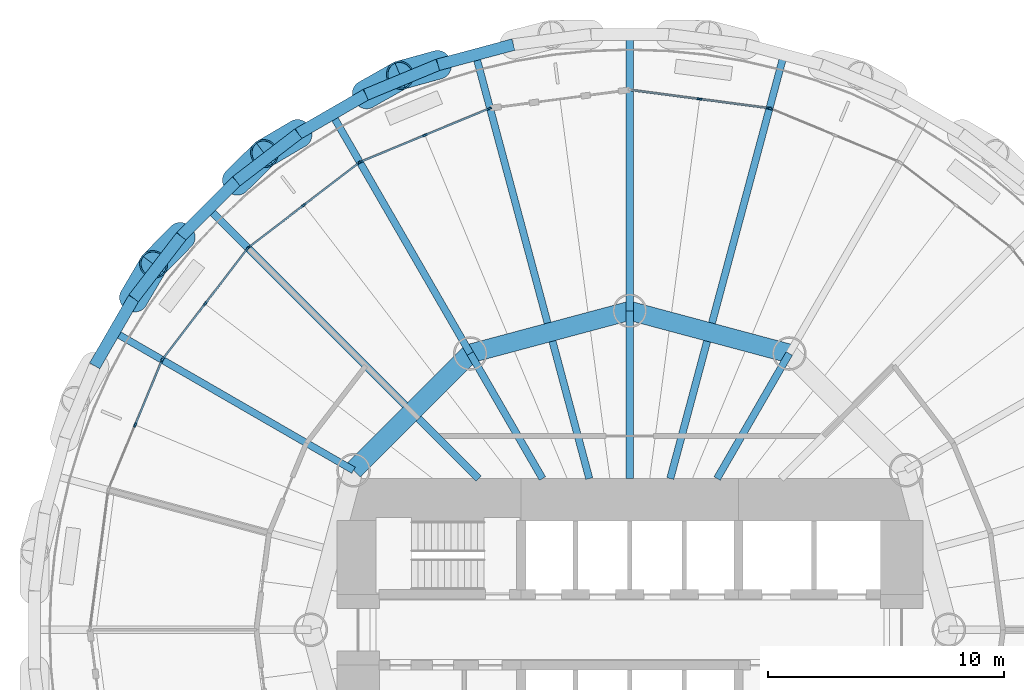
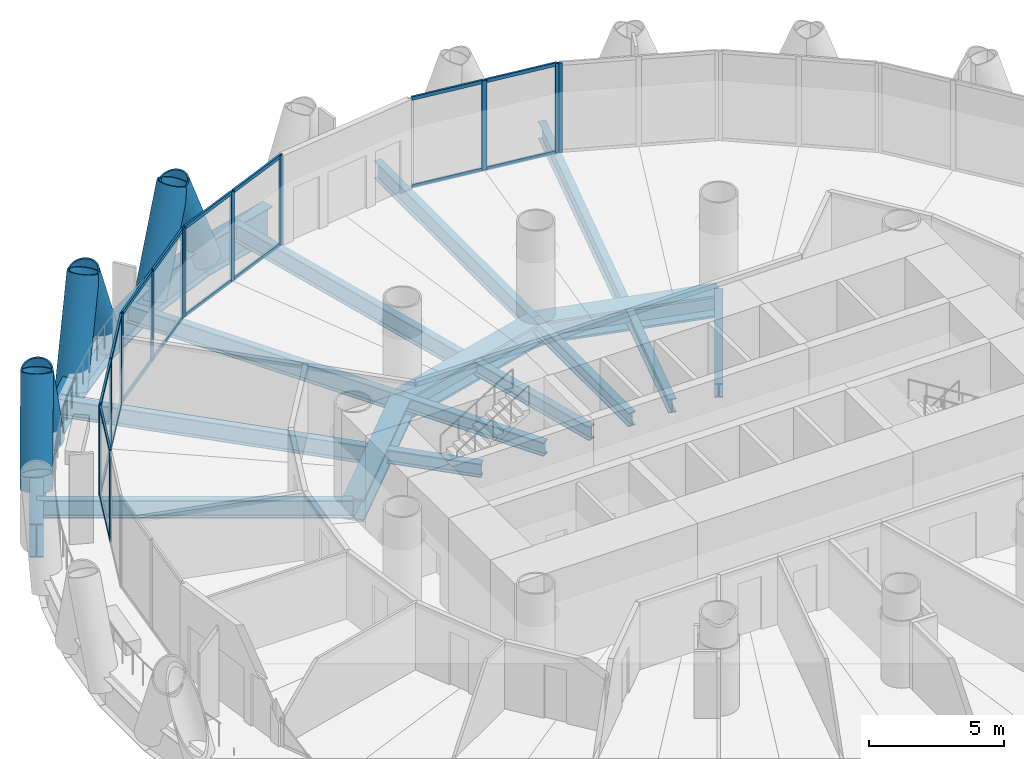
# One storey, part 6 of 16: 38 members, 22 beams, 6 elements without a shape of their own.
"""IFC4 building model written with IfcOpenShell, lengths in metres."""

from ifc_helpers import new_model, si_unit, direction, frame, origin, origin_2d, place, context, subcontext, project, spatial, rectangle, hollow_circle, i_section, extrude, material, material_profile, profile_set, type_object, element, aggregate, save


model = new_model("IFC4")

# Units and contexts
model_context = context("Model", 3, precision=1e-05, world=origin(), true_north=direction((0.0, 1.0)))
body_context = subcontext(model_context, "Body", "Model", "MODEL_VIEW")
ifc_project = project(units=[si_unit("LENGTHUNIT", "METRE"), si_unit("AREAUNIT", "SQUARE_METRE"), si_unit("VOLUMEUNIT", "CUBIC_METRE"), si_unit("PLANEANGLEUNIT", "RADIAN"), si_unit("MASSUNIT", "GRAM", prefix="KILO")], contexts=[model_context])

# Site, building, storey
site_placement = place(None, origin())
site = spatial("IfcSite", under=ifc_project, at=site_placement, CompositionType="ELEMENT")
building_placement = place(site_placement, origin())
building = spatial("IfcBuilding", under=site, at=building_placement, Name="Qaws Media Tower", CompositionType="ELEMENT")
storey_placement = place(building_placement, frame((0.0, 0.0, 63.800048828125)))
storey = spatial("IfcBuildingStorey", under=building, at=storey_placement, Name="L13", CompositionType="ELEMENT", Elevation=63.800048828125)

# Curtain wall, member
ifc_material_1 = material(Name="Aluminium and clear glass", Category="aluminium")
curtain_wall_type = type_object("IfcCurtainWallType", Name="Unitised curtain wall CW-A", PredefinedType="NOTDEFINED", material=ifc_material_1)
curtain_wall_1_placement = place(storey_placement, origin())
curtain_wall_1 = element("IfcCurtainWall", 1, at=curtain_wall_1_placement, inside=storey, type_object=curtain_wall_type, Name="CWA curtain wall L13-05", PredefinedType="NOTDEFINED")
ifc_material_2 = material(Name="Aluminium mullion", Category="aluminium")
ifc_material_profile_1 = material_profile(ifc_material_2, rectangle(XDim=0.080078125, YDim=0.199951171875, at=origin_2d()), Name="80x200")
ifc_profile_set_1 = profile_set([ifc_material_profile_1], Name="Aluminium mullion")
member_type_1 = type_object("IfcMemberType", Name="Curtain wall mullion 80x200", PredefinedType="MULLION", material=ifc_profile_set_1)
member_1_placement = place(storey_placement, frame((65.950927734375, 72.05615234375, 0.0), z_axis=(0.0, 0.0, 1.0), x_axis=(-0.382683471145, -0.923879516448, 0.0)))
member_1 = element("IfcMember", 2, at=member_1_placement, type_object=member_type_1, Name="CWA mullion 3", PredefinedType="MULLION", context=body_context, shape_type="SweptSolid", body=[
    extrude(rectangle(XDim=0.080078125, YDim=0.199951171875, at=origin_2d()), origin(), (0.0, 0.0, 1.0), 4.0400390625),
])
aggregate(curtain_wall_1, [member_1])

# Curtain wall, members
curtain_wall_2_placement = place(storey_placement, origin())
curtain_wall_2 = element("IfcCurtainWall", 3, at=curtain_wall_2_placement, inside=storey, type_object=curtain_wall_type, Name="CWA curtain wall L13-06", PredefinedType="NOTDEFINED")
member_2_placement = place(storey_placement, frame((65.874267578125, 72.07666015625, 0.0), z_axis=(0.0, 0.0, 1.0), x_axis=(-0.130526217674, -0.991444858023, 0.0)))
member_2 = element("IfcMember", 4, at=member_2_placement, type_object=member_type_1, Name="CWA mullion 1", PredefinedType="MULLION", context=body_context, shape_type="SweptSolid", body=[
    extrude(rectangle(XDim=0.080078125, YDim=0.199951171875, at=origin_2d()), origin(), (0.0, 0.0, 1.0), 4.0400390625),
])
member_3_placement = place(storey_placement, frame((62.95703125, 72.460693359375, 0.0), z_axis=(0.0, 0.0, 1.0), x_axis=(-0.130526217674, -0.991444858023, 0.0)))
member_3 = element("IfcMember", 5, at=member_3_placement, type_object=member_type_1, Name="CWA mullion 2", PredefinedType="MULLION", context=body_context, shape_type="SweptSolid", body=[
    extrude(rectangle(XDim=0.080078125, YDim=0.199951171875, at=origin_2d()), origin(), (0.0, 0.0, 1.0), 4.0400390625),
])

curtain_wall_3_placement = place(storey_placement, origin())
curtain_wall_3 = element("IfcCurtainWall", 6, at=curtain_wall_3_placement, inside=storey, type_object=curtain_wall_type, Name="CWA curtain wall L13-08", PredefinedType="NOTDEFINED")
member_4_placement = place(storey_placement, frame((54.049072265625, 72.05615234375, 0.0), z_axis=(0.0, 0.0, 1.0), x_axis=(0.382683471145, -0.923879516448, 0.0)))
member_4 = element("IfcMember", 7, at=member_4_placement, type_object=member_type_1, Name="CWA mullion 1", PredefinedType="MULLION", context=body_context, shape_type="SweptSolid", body=[
    extrude(rectangle(XDim=0.080078125, YDim=0.199951171875, at=origin_2d()), origin(), (0.0, 0.0, 1.0), 4.0400390625),
])
member_5_placement = place(storey_placement, frame((51.33056640625, 70.929931640625, 0.0), z_axis=(0.0, 0.0, 1.0), x_axis=(0.382683471145, -0.923879516448, 0.0)))
member_5 = element("IfcMember", 8, at=member_5_placement, type_object=member_type_1, Name="CWA mullion 2", PredefinedType="MULLION", context=body_context, shape_type="SweptSolid", body=[
    extrude(rectangle(XDim=0.080078125, YDim=0.199951171875, at=origin_2d()), origin(), (0.0, 0.0, 1.0), 4.0400390625),
])
member_6_placement = place(storey_placement, frame((48.612060546875, 69.803955078125, 0.0), z_axis=(0.0, 0.0, 1.0), x_axis=(0.382683471145, -0.923879516448, 0.0)))
member_6 = element("IfcMember", 9, at=member_6_placement, type_object=member_type_1, Name="CWA mullion 3", PredefinedType="MULLION", context=body_context, shape_type="SweptSolid", body=[
    extrude(rectangle(XDim=0.080078125, YDim=0.199951171875, at=origin_2d()), origin(), (0.0, 0.0, 1.0), 4.0400390625),
])

curtain_wall_4_placement = place(storey_placement, origin())
curtain_wall_4 = element("IfcCurtainWall", 10, at=curtain_wall_4_placement, inside=storey, type_object=curtain_wall_type, Name="CWA curtain wall L13-09", PredefinedType="NOTDEFINED")
member_7_placement = place(storey_placement, frame((48.543212890625, 69.764404296875, 0.0), z_axis=(0.0, 0.0, 1.0), x_axis=(0.608761369427, -0.79335338601, 0.0)))
member_7 = element("IfcMember", 11, at=member_7_placement, type_object=member_type_1, Name="CWA mullion 1", PredefinedType="MULLION", context=body_context, shape_type="SweptSolid", body=[
    extrude(rectangle(XDim=0.080078125, YDim=0.199951171875, at=origin_2d()), origin(), (0.0, 0.0, 1.0), 4.0400390625),
])
member_8_placement = place(storey_placement, frame((46.208740234375, 67.97314453125, 0.0), z_axis=(0.0, 0.0, 1.0), x_axis=(0.608761369427, -0.79335338601, 0.0)))
member_8 = element("IfcMember", 12, at=member_8_placement, type_object=member_type_1, Name="CWA mullion 2", PredefinedType="MULLION", context=body_context, shape_type="SweptSolid", body=[
    extrude(rectangle(XDim=0.080078125, YDim=0.199951171875, at=origin_2d()), origin(), (0.0, 0.0, 1.0), 4.0400390625),
])
member_9_placement = place(storey_placement, frame((43.874267578125, 66.181640625, 0.0), z_axis=(0.0, 0.0, 1.0), x_axis=(0.608761369427, -0.79335338601, 0.0)))
member_9 = element("IfcMember", 13, at=member_9_placement, type_object=member_type_1, Name="CWA mullion 3", PredefinedType="MULLION", context=body_context, shape_type="SweptSolid", body=[
    extrude(rectangle(XDim=0.080078125, YDim=0.199951171875, at=origin_2d()), origin(), (0.0, 0.0, 1.0), 4.0400390625),
])

curtain_wall_5_placement = place(storey_placement, origin())
curtain_wall_5 = element("IfcCurtainWall", 14, at=curtain_wall_5_placement, inside=storey, type_object=curtain_wall_type, Name="CWA curtain wall L13-10", PredefinedType="NOTDEFINED")
member_10_placement = place(storey_placement, frame((43.818359375, 66.125732421875, 0.0), z_axis=(0.0, 0.0, 1.0), x_axis=(0.79335338601, -0.608761369427, 0.0)))
member_10 = element("IfcMember", 15, at=member_10_placement, type_object=member_type_1, Name="CWA mullion 1", PredefinedType="MULLION", context=body_context, shape_type="SweptSolid", body=[
    extrude(rectangle(XDim=0.080078125, YDim=0.199951171875, at=origin_2d()), origin(), (0.0, 0.0, 1.0), 4.0400390625),
])
member_11_placement = place(storey_placement, frame((42.02685546875, 63.791259765625, 0.0), z_axis=(0.0, 0.0, 1.0), x_axis=(0.79335338601, -0.608761369427, 0.0)))
member_11 = element("IfcMember", 16, at=member_11_placement, type_object=member_type_1, Name="CWA mullion 2", PredefinedType="MULLION", context=body_context, shape_type="SweptSolid", body=[
    extrude(rectangle(XDim=0.080078125, YDim=0.199951171875, at=origin_2d()), origin(), (0.0, 0.0, 1.0), 4.0400390625),
])
member_12_placement = place(storey_placement, frame((40.235595703125, 61.456787109375, 0.0), z_axis=(0.0, 0.0, 1.0), x_axis=(0.79335338601, -0.608761369427, 0.0)))
member_12 = element("IfcMember", 17, at=member_12_placement, type_object=member_type_1, Name="CWA mullion 3", PredefinedType="MULLION", context=body_context, shape_type="SweptSolid", body=[
    extrude(rectangle(XDim=0.080078125, YDim=0.199951171875, at=origin_2d()), origin(), (0.0, 0.0, 1.0), 4.0400390625),
])

curtain_wall_6_placement = place(storey_placement, origin())
curtain_wall_6 = element("IfcCurtainWall", 18, at=curtain_wall_6_placement, inside=storey, type_object=curtain_wall_type, Name="CWA curtain wall L13-11", PredefinedType="NOTDEFINED")
member_13_placement = place(storey_placement, frame((40.196044921875, 61.387939453125, 0.0), z_axis=(0.0, 0.0, 1.0), x_axis=(0.923879516448, -0.382683471145, 0.0)))
member_13 = element("IfcMember", 19, at=member_13_placement, type_object=member_type_1, Name="CWA mullion 1", PredefinedType="MULLION", context=body_context, shape_type="SweptSolid", body=[
    extrude(rectangle(XDim=0.080078125, YDim=0.199951171875, at=origin_2d()), origin(), (0.0, 0.0, 1.0), 4.0400390625),
])
member_14_placement = place(storey_placement, frame((39.070068359375, 58.66943359375, 0.0), z_axis=(0.0, 0.0, 1.0), x_axis=(0.923879516448, -0.382683471145, 0.0)))
member_14 = element("IfcMember", 20, at=member_14_placement, type_object=member_type_1, Name="CWA mullion 2", PredefinedType="MULLION", context=body_context, shape_type="SweptSolid", body=[
    extrude(rectangle(XDim=0.080078125, YDim=0.199951171875, at=origin_2d()), origin(), (0.0, 0.0, 1.0), 4.0400390625),
])

# Member
ifc_material_3 = material(Name="Aluminium transom", Category="aluminium")
ifc_material_profile_2 = material_profile(ifc_material_3, rectangle(XDim=0.080078125, YDim=0.159912109375, at=origin_2d()), Name="80x160")
ifc_profile_set_2 = profile_set([ifc_material_profile_2], Name="Aluminium transom")
member_type_2 = type_object("IfcMemberType", Name="Curtain wall transom 80x160", PredefinedType="USERDEFINED", material=ifc_profile_set_2)
member_15_placement = place(storey_placement, frame((65.834716796875, 72.081787109375, 0.0400390625), z_axis=(-0.991438903663, 0.130571437549, 0.0), x_axis=(-0.130571437549, -0.991438903663, 0.0)))
member_15 = element("IfcMember", 21, at=member_15_placement, type_object=member_type_2, Name="CWA transom 1.1", ObjectType="TRANSOM", PredefinedType="USERDEFINED", context=body_context, shape_type="SweptSolid", body=[
    extrude(rectangle(XDim=0.080078125, YDim=0.159912109375, at=origin_2d()), origin(), (0.0, 0.0, 1.0), 2.862548828125),
])

member_16_placement = place(storey_placement, frame((65.834716796875, 72.081787109375, 4.0), z_axis=(-0.991438903663, 0.130571437549, 0.0), x_axis=(-0.130571437549, -0.991438903663, 0.0)))
member_16 = element("IfcMember", 22, at=member_16_placement, type_object=member_type_2, Name="CWA transom 1.2", ObjectType="TRANSOM", PredefinedType="USERDEFINED", context=body_context, shape_type="SweptSolid", body=[
    extrude(rectangle(XDim=0.080078125, YDim=0.159912109375, at=origin_2d()), origin(), (0.0, 0.0, 1.0), 2.862548828125),
])

member_17_placement = place(storey_placement, frame((62.917236328125, 72.4658203125, 0.0400390625), z_axis=(-0.991437449462, 0.130582478934, 0.0), x_axis=(-0.130582478934, -0.991437449462, 0.0)))
member_17 = element("IfcMember", 23, at=member_17_placement, type_object=member_type_2, Name="CWA transom 2.1", ObjectType="TRANSOM", PredefinedType="USERDEFINED", context=body_context, shape_type="SweptSolid", body=[
    extrude(rectangle(XDim=0.080078125, YDim=0.159912109375, at=origin_2d()), origin(), (0.0, 0.0, 1.0), 2.8623046875),
])

member_18_placement = place(storey_placement, frame((62.917236328125, 72.4658203125, 4.0), z_axis=(-0.991437449462, 0.130582478934, 0.0), x_axis=(-0.130582478934, -0.991437449462, 0.0)))
member_18 = element("IfcMember", 24, at=member_18_placement, type_object=member_type_2, Name="CWA transom 2.2", ObjectType="TRANSOM", PredefinedType="USERDEFINED", context=body_context, shape_type="SweptSolid", body=[
    extrude(rectangle(XDim=0.080078125, YDim=0.159912109375, at=origin_2d()), origin(), (0.0, 0.0, 1.0), 2.8623046875),
])

aggregate(curtain_wall_2, [member_2, member_3, member_15, member_16, member_17, member_18])

member_19_placement = place(storey_placement, frame((54.011962890625, 72.040771484375, 0.0400390625), z_axis=(-0.923872334596, -0.382700809207, 0.0), x_axis=(0.382700809207, -0.923872334596, 0.0)))
member_19 = element("IfcMember", 25, at=member_19_placement, type_object=member_type_2, Name="CWA transom 1.1", ObjectType="TRANSOM", PredefinedType="USERDEFINED", context=body_context, shape_type="SweptSolid", body=[
    extrude(rectangle(XDim=0.080078125, YDim=0.159912109375, at=origin_2d()), origin(), (0.0, 0.0, 1.0), 2.862548828125),
])

member_20_placement = place(storey_placement, frame((54.011962890625, 72.040771484375, 4.0), z_axis=(-0.923872334596, -0.382700809207, 0.0), x_axis=(0.382700809207, -0.923872334596, 0.0)))
member_20 = element("IfcMember", 26, at=member_20_placement, type_object=member_type_2, Name="CWA transom 1.2", ObjectType="TRANSOM", PredefinedType="USERDEFINED", context=body_context, shape_type="SweptSolid", body=[
    extrude(rectangle(XDim=0.080078125, YDim=0.159912109375, at=origin_2d()), origin(), (0.0, 0.0, 1.0), 2.862548828125),
])

member_21_placement = place(storey_placement, frame((51.29345703125, 70.914794921875, 0.0400390625), z_axis=(-0.923872334596, -0.382700809207, 0.0), x_axis=(0.382700809207, -0.923872334596, 0.0)))
member_21 = element("IfcMember", 27, at=member_21_placement, type_object=member_type_2, Name="CWA transom 2.1", ObjectType="TRANSOM", PredefinedType="USERDEFINED", context=body_context, shape_type="SweptSolid", body=[
    extrude(rectangle(XDim=0.080078125, YDim=0.159912109375, at=origin_2d()), origin(), (0.0, 0.0, 1.0), 2.862548828125),
])

member_22_placement = place(storey_placement, frame((51.29345703125, 70.914794921875, 4.0), z_axis=(-0.923872334596, -0.382700809207, 0.0), x_axis=(0.382700809207, -0.923872334596, 0.0)))
member_22 = element("IfcMember", 28, at=member_22_placement, type_object=member_type_2, Name="CWA transom 2.2", ObjectType="TRANSOM", PredefinedType="USERDEFINED", context=body_context, shape_type="SweptSolid", body=[
    extrude(rectangle(XDim=0.080078125, YDim=0.159912109375, at=origin_2d()), origin(), (0.0, 0.0, 1.0), 2.862548828125),
])

aggregate(curtain_wall_3, [member_4, member_5, member_6, member_19, member_20, member_21, member_22])

member_23_placement = place(storey_placement, frame((48.511474609375, 69.739990234375, 0.0400390625), z_axis=(-0.793339979648, -0.608778840543, 0.0), x_axis=(0.608778840543, -0.793339979648, 0.0)))
member_23 = element("IfcMember", 29, at=member_23_placement, type_object=member_type_2, Name="CWA transom 1.1", ObjectType="TRANSOM", PredefinedType="USERDEFINED", context=body_context, shape_type="SweptSolid", body=[
    extrude(rectangle(XDim=0.080078125, YDim=0.159912109375, at=origin_2d()), origin(), (0.0, 0.0, 1.0), 2.862548828125),
])

member_24_placement = place(storey_placement, frame((48.511474609375, 69.739990234375, 4.0), z_axis=(-0.793339979648, -0.608778840543, 0.0), x_axis=(0.608778840543, -0.793339979648, 0.0)))
member_24 = element("IfcMember", 30, at=member_24_placement, type_object=member_type_2, Name="CWA transom 1.2", ObjectType="TRANSOM", PredefinedType="USERDEFINED", context=body_context, shape_type="SweptSolid", body=[
    extrude(rectangle(XDim=0.080078125, YDim=0.159912109375, at=origin_2d()), origin(), (0.0, 0.0, 1.0), 2.862548828125),
])

member_25_placement = place(storey_placement, frame((46.177001953125, 67.94873046875, 0.0400390625), z_axis=(-0.793339979648, -0.608778840543, 0.0), x_axis=(0.608778840543, -0.793339979648, 0.0)))
member_25 = element("IfcMember", 31, at=member_25_placement, type_object=member_type_2, Name="CWA transom 2.1", ObjectType="TRANSOM", PredefinedType="USERDEFINED", context=body_context, shape_type="SweptSolid", body=[
    extrude(rectangle(XDim=0.080078125, YDim=0.159912109375, at=origin_2d()), origin(), (0.0, 0.0, 1.0), 2.862548828125),
])

member_26_placement = place(storey_placement, frame((46.177001953125, 67.94873046875, 4.0), z_axis=(-0.793339979648, -0.608778840543, 0.0), x_axis=(0.608778840543, -0.793339979648, 0.0)))
member_26 = element("IfcMember", 32, at=member_26_placement, type_object=member_type_2, Name="CWA transom 2.2", ObjectType="TRANSOM", PredefinedType="USERDEFINED", context=body_context, shape_type="SweptSolid", body=[
    extrude(rectangle(XDim=0.080078125, YDim=0.159912109375, at=origin_2d()), origin(), (0.0, 0.0, 1.0), 2.862548828125),
])

aggregate(curtain_wall_4, [member_7, member_8, member_9, member_23, member_24, member_25, member_26])

member_27_placement = place(storey_placement, frame((43.7939453125, 66.093994140625, 0.0400390625), z_axis=(-0.608778840543, -0.793339979648, 0.0), x_axis=(0.793339979648, -0.608778840543, 0.0)))
member_27 = element("IfcMember", 33, at=member_27_placement, type_object=member_type_2, Name="CWA transom 1.1", ObjectType="TRANSOM", PredefinedType="USERDEFINED", context=body_context, shape_type="SweptSolid", body=[
    extrude(rectangle(XDim=0.080078125, YDim=0.159912109375, at=origin_2d()), origin(), (0.0, 0.0, 1.0), 2.862548828125),
])

member_28_placement = place(storey_placement, frame((43.7939453125, 66.093994140625, 4.0), z_axis=(-0.608778840543, -0.793339979648, 0.0), x_axis=(0.793339979648, -0.608778840543, 0.0)))
member_28 = element("IfcMember", 34, at=member_28_placement, type_object=member_type_2, Name="CWA transom 1.2", ObjectType="TRANSOM", PredefinedType="USERDEFINED", context=body_context, shape_type="SweptSolid", body=[
    extrude(rectangle(XDim=0.080078125, YDim=0.159912109375, at=origin_2d()), origin(), (0.0, 0.0, 1.0), 2.862548828125),
])

member_29_placement = place(storey_placement, frame((42.002685546875, 63.759521484375, 0.0400390625), z_axis=(-0.608778840543, -0.793339979648, 0.0), x_axis=(0.793339979648, -0.608778840543, 0.0)))
member_29 = element("IfcMember", 35, at=member_29_placement, type_object=member_type_2, Name="CWA transom 2.1", ObjectType="TRANSOM", PredefinedType="USERDEFINED", context=body_context, shape_type="SweptSolid", body=[
    extrude(rectangle(XDim=0.080078125, YDim=0.159912109375, at=origin_2d()), origin(), (0.0, 0.0, 1.0), 2.862548828125),
])

member_30_placement = place(storey_placement, frame((42.002685546875, 63.759521484375, 4.0), z_axis=(-0.608778840543, -0.793339979648, 0.0), x_axis=(0.793339979648, -0.608778840543, 0.0)))
member_30 = element("IfcMember", 36, at=member_30_placement, type_object=member_type_2, Name="CWA transom 2.2", ObjectType="TRANSOM", PredefinedType="USERDEFINED", context=body_context, shape_type="SweptSolid", body=[
    extrude(rectangle(XDim=0.080078125, YDim=0.159912109375, at=origin_2d()), origin(), (0.0, 0.0, 1.0), 2.862548828125),
])

aggregate(curtain_wall_5, [member_10, member_11, member_12, member_27, member_28, member_29, member_30])

member_31_placement = place(storey_placement, frame((40.1806640625, 61.35107421875, 0.0400390625), z_axis=(-0.382700809207, -0.923872334596, 0.0), x_axis=(0.923872334596, -0.382700809207, 0.0)))
member_31 = element("IfcMember", 37, at=member_31_placement, type_object=member_type_2, Name="CWA transom 1.1", ObjectType="TRANSOM", PredefinedType="USERDEFINED", context=body_context, shape_type="SweptSolid", body=[
    extrude(rectangle(XDim=0.080078125, YDim=0.159912109375, at=origin_2d()), origin(), (0.0, 0.0, 1.0), 2.862548828125),
])

member_32_placement = place(storey_placement, frame((40.1806640625, 61.35107421875, 4.0), z_axis=(-0.382700809207, -0.923872334596, 0.0), x_axis=(0.923872334596, -0.382700809207, 0.0)))
member_32 = element("IfcMember", 38, at=member_32_placement, type_object=member_type_2, Name="CWA transom 1.2", ObjectType="TRANSOM", PredefinedType="USERDEFINED", context=body_context, shape_type="SweptSolid", body=[
    extrude(rectangle(XDim=0.080078125, YDim=0.159912109375, at=origin_2d()), origin(), (0.0, 0.0, 1.0), 2.862548828125),
])

aggregate(curtain_wall_6, [member_13, member_14, member_31, member_32])

# Members
ifc_material_4 = material(Name="Steel S460", Category="steel")
ifc_material_profile_3 = material_profile(ifc_material_4, hollow_circle(Radius=0.609619140625, WallThickness=0.06005859375, at=origin_2d()), Name="CHS 1219x60")
ifc_profile_set_3 = profile_set([ifc_material_profile_3], Name="Steel S460")
member_type_3 = type_object("IfcMemberType", Name="Diagrid member CHS 1219x60", PredefinedType="USERDEFINED", material=ifc_profile_set_3)
for number, where, z_axis, x_axis, name in (
    (39, (51.883544921875, 73.909912109375, -0.91015625), (-0.354989178007, -0.098136755558, 0.929705254748), (0.266455553014, -0.96384720691, 0.0), "DG1 diagrid L13 A08"),
    (40, (45.971923828125, 70.99462890625, -0.91015625), (-0.317532559387, -0.186704389496, 0.929685185787), (0.506859837862, -0.86202848257, 0.0), "DG1 diagrid L13 A09"),
    (41, (48.832275390625, 72.64599609375, -0.91015625), (0.320403656582, 0.1816287215, 0.929705600916), (-0.493149544005, 0.869944554123, 0.0), "DG1 diagrid L13 B09"),
    (42, (41.01611328125, 66.6484375, -0.91015625), (-0.25836599958, -0.262473051655, 0.929706893282), (0.712660482364, -0.701509113894, 0.0), "DG1 diagrid L13 A10"),
    (43, (43.3515625, 68.98388671875, -0.91015625), (0.262473051655, 0.25836599958, 0.929706893282), (-0.701509113894, 0.712660482364, 0.0), "DG1 diagrid L13 B10"),
    (44, (39.00537109375, 64.028076171875, -0.91015625), (0.186704389496, 0.317532559387, 0.929685185787), (-0.86202848257, 0.506859837862, 0.0), "DG1 diagrid L13 B11"),
):
    element("IfcMember", number, at=place(storey_placement, frame(where, z_axis=z_axis, x_axis=x_axis)), inside=storey, type_object=member_type_3, Name=name, ObjectType="DIAGRID", PredefinedType="USERDEFINED", context=body_context, shape_type="SweptSolid", body=[
        extrude(hollow_circle(Radius=0.609619140625, WallThickness=0.06005859375, at=origin_2d()), origin(), (0.0, 0.0, 1.0), 4.517822265625),
    ])

# Beams
ifc_material_5 = material(Name="Steel S460", Category="steel")
ifc_material_profile_4 = material_profile(ifc_material_5, i_section(OverallWidth=0.5, OverallDepth=1.5, WebThickness=0.02001953125, FlangeThickness=0.0400390625, at=origin_2d()), Name="PG 1500x500")
ifc_profile_set_4 = profile_set([ifc_material_profile_4], Name="Steel S460")
beam_type_1 = type_object("IfcBeamType", Name="Edge ring beam PG 1500x500", PredefinedType="BEAM", material=ifc_profile_set_4)
beam_1_placement = place(storey_placement, frame((55.073974609375, 74.764892578125, -0.91015625), z_axis=(-0.965917696055, -0.258849385643, 0.0), x_axis=(0.258849385643, -0.965917696055, 0.0)))
element("IfcBeam", 45, at=beam_1_placement, inside=storey, type_object=beam_type_1, Name="RB4 edge ring beam L13-14", PredefinedType="BEAM", context=body_context, shape_type="SweptSolid", body=[
    extrude(i_section(OverallWidth=0.5, OverallDepth=1.5, WebThickness=0.02001953125, FlangeThickness=0.0400390625, at=origin_2d()), origin(), (0.0, 0.0, 1.0), 3.302978515625),
])
for number, where, z_axis, x_axis, name in (
    (46, (51.883544921875, 73.909912109375, -0.91015625), (-0.92387537962, -0.382693458177, 0.0), (0.382693458177, -0.92387537962, 0.0), "RB4 edge ring beam L13-15"),
    (47, (48.832275390625, 72.64599609375, -0.91015625), (-0.866032949645, -0.499986929959, 0.0), (0.499986929959, -0.866032949645, 0.0), "RB4 edge ring beam L13-16"),
):
    element("IfcBeam", number, at=place(storey_placement, frame(where, z_axis=z_axis, x_axis=x_axis)), inside=storey, type_object=beam_type_1, Name=name, PredefinedType="BEAM", context=body_context, shape_type="SweptSolid", body=[
        extrude(i_section(OverallWidth=0.5, OverallDepth=1.5, WebThickness=0.02001953125, FlangeThickness=0.0400390625, at=origin_2d()), origin(), (0.0, 0.0, 1.0), 3.302734375),
    ])
beam_2_placement = place(storey_placement, frame((45.971923828125, 70.99462890625, -0.91015625), z_axis=(-0.793343364577, -0.608774429392, 0.0), x_axis=(0.608774429392, -0.793343364577, 0.0)))
element("IfcBeam", 48, at=beam_2_placement, inside=storey, type_object=beam_type_1, Name="RB4 edge ring beam L13-17", PredefinedType="BEAM", context=body_context, shape_type="SweptSolid", body=[
    extrude(i_section(OverallWidth=0.5, OverallDepth=1.5, WebThickness=0.02001953125, FlangeThickness=0.0400390625, at=origin_2d()), origin(), (0.0, 0.0, 1.0), 3.302978515625),
])
beam_3_placement = place(storey_placement, frame((43.3515625, 68.98388671875, -0.91015625), z_axis=(-0.707106781187, -0.707106781187, 0.0), x_axis=(0.707106781187, -0.707106781187, 0.0)))
element("IfcBeam", 49, at=beam_3_placement, inside=storey, type_object=beam_type_1, Name="RB4 edge ring beam L13-18", PredefinedType="BEAM", context=body_context, shape_type="SweptSolid", body=[
    extrude(i_section(OverallWidth=0.5, OverallDepth=1.5, WebThickness=0.02001953125, FlangeThickness=0.0400390625, at=origin_2d()), origin(), (0.0, 0.0, 1.0), 3.302734375),
])
beam_4_placement = place(storey_placement, frame((41.01611328125, 66.6484375, -0.91015625), z_axis=(-0.608774429392, -0.793343364577, 0.0), x_axis=(0.793343364577, -0.608774429392, 0.0)))
element("IfcBeam", 50, at=beam_4_placement, inside=storey, type_object=beam_type_1, Name="RB4 edge ring beam L13-19", PredefinedType="BEAM", context=body_context, shape_type="SweptSolid", body=[
    extrude(i_section(OverallWidth=0.5, OverallDepth=1.5, WebThickness=0.02001953125, FlangeThickness=0.0400390625, at=origin_2d()), origin(), (0.0, 0.0, 1.0), 3.302978515625),
])
beam_5_placement = place(storey_placement, frame((39.00537109375, 64.028076171875, -0.91015625), z_axis=(-0.499986929959, -0.866032949645, 0.0), x_axis=(0.866032949645, -0.499986929959, 0.0)))
element("IfcBeam", 51, at=beam_5_placement, inside=storey, type_object=beam_type_1, Name="RB4 edge ring beam L13-20", PredefinedType="BEAM", context=body_context, shape_type="SweptSolid", body=[
    extrude(i_section(OverallWidth=0.5, OverallDepth=1.5, WebThickness=0.02001953125, FlangeThickness=0.0400390625, at=origin_2d()), origin(), (0.0, 0.0, 1.0), 3.302734375),
])
ifc_material_6 = material(Name="Steel S460", Category="steel")
ifc_material_profile_5 = material_profile(ifc_material_6, i_section(OverallWidth=0.800048828125, OverallDepth=1.0, WebThickness=0.0400390625, FlangeThickness=0.10009765625, at=origin_2d()), Name="PG 1000x800")
ifc_profile_set_5 = profile_set([ifc_material_profile_5], Name="Steel S460")
beam_type_2 = type_object("IfcBeamType", Name="Inner ring girder PG 1000x800", PredefinedType="BEAM", material=ifc_profile_set_5)
for number, where, z_axis, x_axis, name in (
    (52, (66.75, 61.69140625, -0.66015625), (-0.965928090778, 0.258810593767, 0.0), (-0.258810593767, -0.965928090778, 0.0), "B3 inner ring beam L13 I03-I04"),
    (53, (60.0, 63.5, -0.66015625), (-0.965928090778, -0.258810593767, 0.0), (0.258810593767, -0.965928090778, 0.0), "B3 inner ring beam L13 I04-I05"),
):
    element("IfcBeam", number, at=place(storey_placement, frame(where, z_axis=z_axis, x_axis=x_axis)), inside=storey, type_object=beam_type_2, Name=name, PredefinedType="BEAM", context=body_context, shape_type="SweptSolid", body=[
        extrude(i_section(OverallWidth=0.800048828125, OverallDepth=1.0, WebThickness=0.0400390625, FlangeThickness=0.10009765625, at=origin_2d()), origin(), (0.0, 0.0, 1.0), 6.988037109375),
    ])
beam_6_placement = place(storey_placement, frame((53.25, 61.69140625, -0.66015625), z_axis=(-0.707106781187, -0.707106781187, 0.0), x_axis=(0.707106781187, -0.707106781187, 0.0)))
element("IfcBeam", 54, at=beam_6_placement, inside=storey, type_object=beam_type_2, Name="B3 inner ring beam L13 I05-I06", PredefinedType="BEAM", context=body_context, shape_type="SweptSolid", body=[
    extrude(i_section(OverallWidth=0.800048828125, OverallDepth=1.0, WebThickness=0.0400390625, FlangeThickness=0.10009765625, at=origin_2d()), origin(), (0.0, 0.0, 1.0), 6.98828125),
])
ifc_material_7 = material(Name="Steel S355", Category="steel")
ifc_material_profile_6 = material_profile(ifc_material_7, i_section(OverallWidth=0.304931640625, OverallDepth=0.6201171875, WebThickness=0.02099609375, FlangeThickness=0.0400390625, FilletRadius=0.027099609375, at=origin_2d()), Name="HE 600 M")
ifc_profile_set_6 = profile_set([ifc_material_profile_6], Name="Steel S355")
beam_type_3 = type_object("IfcBeamType", Name="Radial beam HE 600 M, core side", PredefinedType="BEAM", material=ifc_profile_set_6)
beam_7_placement = place(storey_placement, frame((63.695068359375, 56.39990234375, -0.469970703125), z_axis=(0.49998532359, 0.866033877048, 0.0), x_axis=(-0.866033877048, 0.49998532359, 0.0)))
element("IfcBeam", 55, at=beam_7_placement, inside=storey, type_object=beam_type_3, Name="B2 radial beam L13 05", PredefinedType="BEAM", context=body_context, shape_type="SweptSolid", body=[
    extrude(i_section(OverallWidth=0.304931640625, OverallDepth=0.6201171875, WebThickness=0.02099609375, FlangeThickness=0.0400390625, FilletRadius=0.027099609375, at=origin_2d()), origin(), (0.0, 0.0, 1.0), 6.110107421875),
])
beam_8_placement = place(storey_placement, frame((61.71484375, 56.39990234375, -0.469970703125), z_axis=(0.258824687089, 0.965924314506, 0.0), x_axis=(-0.965924314506, 0.258824687089, 0.0)))
element("IfcBeam", 56, at=beam_8_placement, inside=storey, type_object=beam_type_3, Name="B2 radial beam L13 06", PredefinedType="BEAM", context=body_context, shape_type="SweptSolid", body=[
    extrude(i_section(OverallWidth=0.304931640625, OverallDepth=0.6201171875, WebThickness=0.02099609375, FlangeThickness=0.0400390625, FilletRadius=0.027099609375, at=origin_2d()), origin(), (0.0, 0.0, 1.0), 6.01416015625),
])
beam_9_placement = place(storey_placement, frame((60.0, 56.39990234375, -0.469970703125), z_axis=(0.0, 1.0, 0.0), x_axis=(-1.0, 0.0, 0.0)))
element("IfcBeam", 57, at=beam_9_placement, inside=storey, type_object=beam_type_3, Name="B2 radial beam L13 07", PredefinedType="BEAM", context=body_context, shape_type="SweptSolid", body=[
    extrude(i_section(OverallWidth=0.304931640625, OverallDepth=0.6201171875, WebThickness=0.02099609375, FlangeThickness=0.0400390625, FilletRadius=0.027099609375, at=origin_2d()), origin(), (0.0, 0.0, 1.0), 7.10009765625),
])
beam_10_placement = place(storey_placement, frame((58.28515625, 56.39990234375, -0.469970703125), z_axis=(-0.258824687089, 0.965924314506, 0.0), x_axis=(-0.965924314506, -0.258824687089, 0.0)))
element("IfcBeam", 58, at=beam_10_placement, inside=storey, type_object=beam_type_3, Name="B2 radial beam L13 08", PredefinedType="BEAM", context=body_context, shape_type="SweptSolid", body=[
    extrude(i_section(OverallWidth=0.304931640625, OverallDepth=0.6201171875, WebThickness=0.02099609375, FlangeThickness=0.0400390625, FilletRadius=0.027099609375, at=origin_2d()), origin(), (0.0, 0.0, 1.0), 6.01416015625),
])
beam_11_placement = place(storey_placement, frame((56.304931640625, 56.39990234375, -0.469970703125), z_axis=(-0.49998532359, 0.866033877048, 0.0), x_axis=(-0.866033877048, -0.49998532359, 0.0)))
element("IfcBeam", 59, at=beam_11_placement, inside=storey, type_object=beam_type_3, Name="B2 radial beam L13 09", PredefinedType="BEAM", context=body_context, shape_type="SweptSolid", body=[
    extrude(i_section(OverallWidth=0.304931640625, OverallDepth=0.6201171875, WebThickness=0.02099609375, FlangeThickness=0.0400390625, FilletRadius=0.027099609375, at=origin_2d()), origin(), (0.0, 0.0, 1.0), 6.110107421875),
])
beam_12_placement = place(storey_placement, frame((53.60009765625, 56.39990234375, -0.469970703125), z_axis=(-0.707106781187, 0.707106781187, 0.0), x_axis=(-0.707106781187, -0.707106781187, 0.0)))
element("IfcBeam", 60, at=beam_12_placement, inside=storey, type_object=beam_type_3, Name="B2 radial beam L13 10", PredefinedType="BEAM", context=body_context, shape_type="SweptSolid", body=[
    extrude(i_section(OverallWidth=0.304931640625, OverallDepth=0.6201171875, WebThickness=0.02099609375, FlangeThickness=0.0400390625, FilletRadius=0.027099609375, at=origin_2d()), origin(), (0.0, 0.0, 1.0), 3.589111328125),
])
ifc_material_8 = material(Name="Steel S355", Category="steel")
ifc_material_profile_7 = material_profile(ifc_material_8, i_section(OverallWidth=0.300048828125, OverallDepth=0.800048828125, WebThickness=0.017578125, FlangeThickness=0.032958984375, FilletRadius=0.030029296875, at=origin_2d()), Name="HE 800 B")
ifc_profile_set_7 = profile_set([ifc_material_profile_7], Name="Steel S355")
beam_type_4 = type_object("IfcBeamType", Name="Radial beam HE 800 B", PredefinedType="BEAM", material=ifc_profile_set_7)
beam_13_placement = place(storey_placement, frame((63.478515625, 62.98193359375, -0.56005859375), z_axis=(0.258821896518, 0.96592506225, 0.0), x_axis=(-0.96592506225, 0.258821896518, 0.0)))
element("IfcBeam", 61, at=beam_13_placement, inside=storey, type_object=beam_type_4, Name="B1 radial beam L13 06", PredefinedType="BEAM", context=body_context, shape_type="SweptSolid", body=[
    extrude(i_section(OverallWidth=0.300048828125, OverallDepth=0.800048828125, WebThickness=0.017578125, FlangeThickness=0.032958984375, FilletRadius=0.030029296875, at=origin_2d()), origin(), (0.0, 0.0, 1.0), 11.756103515625),
])
beam_14_placement = place(storey_placement, frame((60.0, 63.5, -0.56005859375), z_axis=(0.0, 1.0, 0.0), x_axis=(-1.0, 0.0, 0.0)))
element("IfcBeam", 62, at=beam_14_placement, inside=storey, type_object=beam_type_4, Name="B1 radial beam L13 07", PredefinedType="BEAM", context=body_context, shape_type="SweptSolid", body=[
    extrude(i_section(OverallWidth=0.300048828125, OverallDepth=0.800048828125, WebThickness=0.017578125, FlangeThickness=0.032958984375, FilletRadius=0.030029296875, at=origin_2d()), origin(), (0.0, 0.0, 1.0), 11.696044921875),
])
beam_15_placement = place(storey_placement, frame((56.521484375, 62.98193359375, -0.56005859375), z_axis=(-0.258821896518, 0.96592506225, 0.0), x_axis=(-0.96592506225, -0.258821896518, 0.0)))
element("IfcBeam", 63, at=beam_15_placement, inside=storey, type_object=beam_type_4, Name="B1 radial beam L13 08", PredefinedType="BEAM", context=body_context, shape_type="SweptSolid", body=[
    extrude(i_section(OverallWidth=0.300048828125, OverallDepth=0.800048828125, WebThickness=0.017578125, FlangeThickness=0.032958984375, FilletRadius=0.030029296875, at=origin_2d()), origin(), (0.0, 0.0, 1.0), 11.756103515625),
])
beam_16_placement = place(storey_placement, frame((53.25, 61.69140625, -0.56005859375), z_axis=(-0.499998309692, 0.866026379682, 0.0), x_axis=(-0.866026379682, -0.499998309692, 0.0)))
element("IfcBeam", 64, at=beam_16_placement, inside=storey, type_object=beam_type_4, Name="B1 radial beam L13 09", PredefinedType="BEAM", context=body_context, shape_type="SweptSolid", body=[
    extrude(i_section(OverallWidth=0.300048828125, OverallDepth=0.800048828125, WebThickness=0.017578125, FlangeThickness=0.032958984375, FilletRadius=0.030029296875, at=origin_2d()), origin(), (0.0, 0.0, 1.0), 11.69580078125),
])
beam_17_placement = place(storey_placement, frame((50.49658203125, 59.50341796875, -0.56005859375), z_axis=(-0.707106781187, 0.707106781187, 0.0), x_axis=(-0.707106781187, -0.707106781187, 0.0)))
element("IfcBeam", 65, at=beam_17_placement, inside=storey, type_object=beam_type_4, Name="B1 radial beam L13 10", PredefinedType="BEAM", context=body_context, shape_type="SweptSolid", body=[
    extrude(i_section(OverallWidth=0.300048828125, OverallDepth=0.800048828125, WebThickness=0.017578125, FlangeThickness=0.032958984375, FilletRadius=0.030029296875, at=origin_2d()), origin(), (0.0, 0.0, 1.0), 11.756103515625),
])
beam_18_placement = place(storey_placement, frame((48.30859375, 56.75, -0.56005859375), z_axis=(-0.866026379682, 0.499998309692, 0.0), x_axis=(-0.499998309692, -0.866026379682, 0.0)))
element("IfcBeam", 66, at=beam_18_placement, inside=storey, type_object=beam_type_4, Name="B1 radial beam L13 11", PredefinedType="BEAM", context=body_context, shape_type="SweptSolid", body=[
    extrude(i_section(OverallWidth=0.300048828125, OverallDepth=0.800048828125, WebThickness=0.017578125, FlangeThickness=0.032958984375, FilletRadius=0.030029296875, at=origin_2d()), origin(), (0.0, 0.0, 1.0), 11.69580078125),
])

save(model, "model.ifc")
